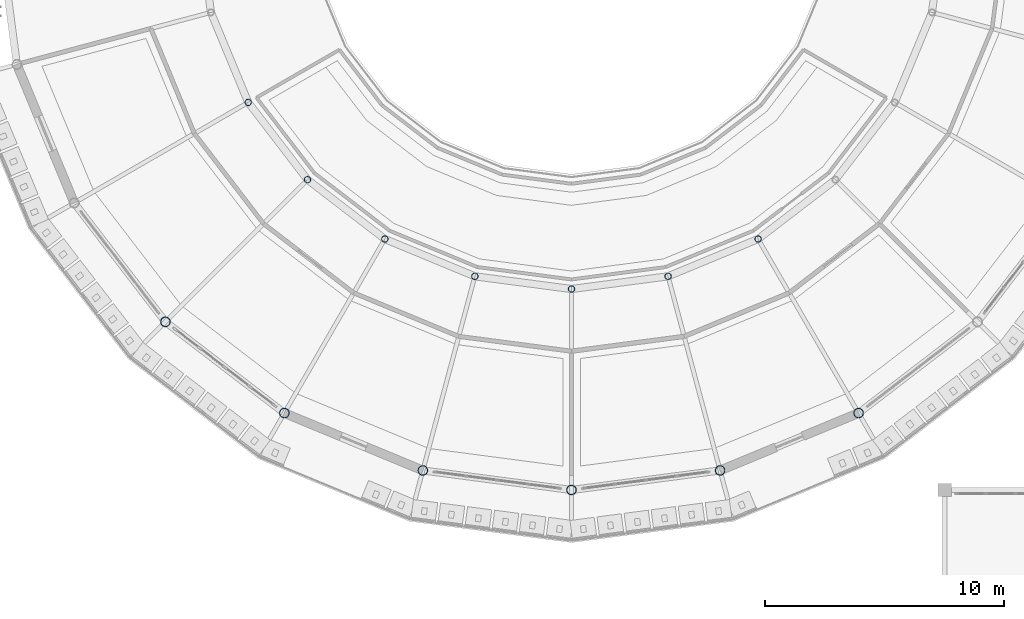
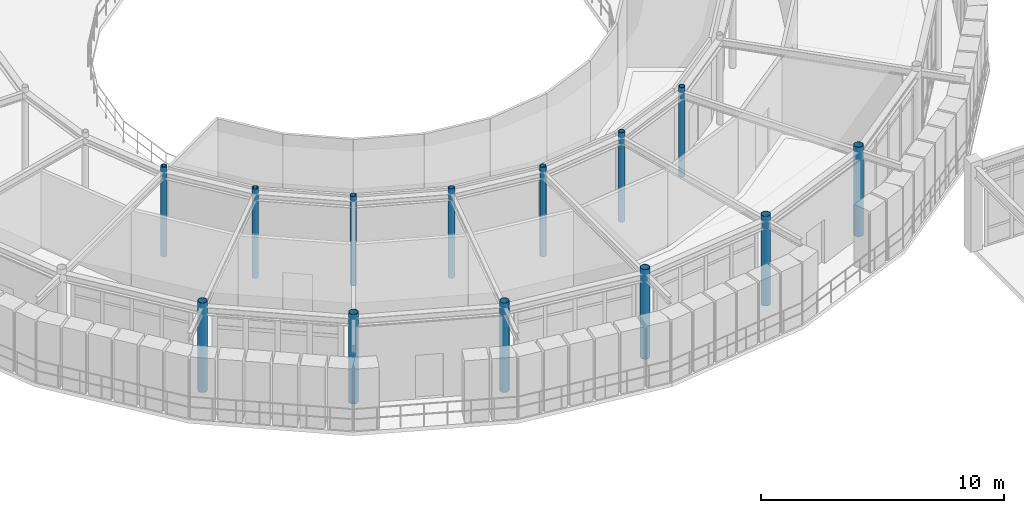
# One storey, part 10 of 106: 13 columns.
"""IFC4 building model written with IfcOpenShell, lengths in metres."""

from ifc_helpers import new_model, si_unit, derived_unit, direction, frame, origin, origin_2d, place, context, subcontext, project, spatial, hollow_circle, extrude, material, material_profile, profile_set, type_object, element, save


model = new_model("IFC4")

# Units and contexts
model_context = context("Model", 3, precision=1e-05, world=origin(), true_north=direction((0.0, 1.0)))
body_context = subcontext(model_context, "Body", "Model", "MODEL_VIEW")
ifc_project = project(units=[si_unit("LENGTHUNIT", "METRE"), si_unit("AREAUNIT", "SQUARE_METRE"), si_unit("VOLUMEUNIT", "CUBIC_METRE"), si_unit("PLANEANGLEUNIT", "RADIAN"), si_unit("MASSUNIT", "GRAM", prefix="KILO"), derived_unit("THERMALTRANSMITTANCEUNIT", [(si_unit("POWERUNIT", "WATT"), 1), (si_unit("AREAUNIT", "SQUARE_METRE"), -1), (si_unit("THERMODYNAMICTEMPERATUREUNIT", "KELVIN"), -1)])], contexts=[model_context])

# Site, building, storey
site_placement = place(None, origin())
site = spatial("IfcSite", under=ifc_project, at=site_placement, CompositionType="ELEMENT")
building_placement = place(site_placement, origin())
building = spatial("IfcBuilding", under=site, at=building_placement, Name="Yasenodar Specialist Clinic", CompositionType="ELEMENT")
storey_placement = place(building_placement, frame((0.0, 0.0, 4.5)))
storey = spatial("IfcBuildingStorey", under=building, at=storey_placement, Name="L01", CompositionType="ELEMENT", Elevation=4.5)

# Columns
ifc_material = material(Name="Steel S355", Category="steel")
ifc_material_profile_1 = material_profile(ifc_material, hollow_circle(Radius=0.136474609375, WallThickness=0.012451171875, at=origin_2d()), Name="CHS 273x12.5")
ifc_profile_set_1 = profile_set([ifc_material_profile_1], Name="Steel S355")
column_type_1 = type_object("IfcColumnType", Name="COL-ST-CHS273", PredefinedType="COLUMN", material=ifc_profile_set_1)
for number, where, z_axis, x_axis, name in (
    (1, (67.489990234375, 51.0, 0.0), (0.0, 0.0, 1.0), (1.0, 0.0, 0.0), "L01 Drum V1 Inner Column 15"),
    (2, (69.968994140625, 47.76904296875, 0.0), (0.0, 0.0, 1.0), (1.0, 0.0, 0.0), "L01 Drum V1 Inner Column 16"),
    (3, (73.199951171875, 45.2900390625, 0.0), (0.0, 0.0, 1.0), (1.0, 0.0, 0.0), "L01 Drum V1 Inner Column 17"),
    (4, (76.96240234375, 43.731689453125, 0.0), (0.0, 0.0, 1.0), (1.0, 0.0, 0.0), "L01 Drum V1 Inner Column 18"),
    (5, (81.0, 43.199951171875, 0.0), (0.0, 0.0, 1.0), (1.0, 0.0, 0.0), "L01 Drum V1 Inner Column 19"),
    (6, (85.03759765625, 43.731689453125, 0.0), (0.0, 0.0, 1.0), (1.0, 0.0, 0.0), "L01 Drum V1 Inner Column 20"),
    (7, (88.800048828125, 45.2900390625, 0.0), (0.0, 0.0, 1.0), (1.0, 0.0, 0.0), "L01 Drum V1 Inner Column 21"),
):
    element("IfcColumn", number, at=place(storey_placement, frame(where, z_axis=z_axis, x_axis=x_axis)), inside=storey, type_object=column_type_1, Name=name, PredefinedType="COLUMN", context=body_context, shape_type="SweptSolid", body=[
        extrude(hollow_circle(Radius=0.136474609375, WallThickness=0.012451171875, at=origin_2d()), origin(), (0.0, 0.0, 1.0), 4.5),
    ])
ifc_material_profile_2 = material_profile(ifc_material, hollow_circle(Radius=0.203125, WallThickness=0.01611328125, at=origin_2d()), Name="CHS 406.4x16")
ifc_profile_set_2 = profile_set([ifc_material_profile_2], Name="Steel S355")
column_type_2 = type_object("IfcColumnType", Name="COL-ST-CHS406", PredefinedType="COLUMN", material=ifc_profile_set_2)
for number, where, z_axis, x_axis, name in (
    (8, (64.029296875, 41.829345703125, 0.0), (0.0, 0.0, 1.0), (1.0, 0.0, 0.0), "L01 Drum V1 Outer Column 16"),
    (9, (69.0, 38.015380859375, 0.0), (0.0, 0.0, 1.0), (1.0, 0.0, 0.0), "L01 Drum V1 Outer Column 17"),
    (10, (74.788330078125, 35.617919921875, 0.0), (0.0, 0.0, 1.0), (1.0, 0.0, 0.0), "L01 Drum V1 Outer Column 18"),
    (11, (81.0, 34.800048828125, 0.0), (0.0, 0.0, 1.0), (1.0, 0.0, 0.0), "L01 Drum V1 Outer Column 19"),
    (12, (87.211669921875, 35.617919921875, 0.0), (0.0, 0.0, 1.0), (1.0, 0.0, 0.0), "L01 Drum V1 Outer Column 20"),
    (13, (93.0, 38.015380859375, 0.0), (0.0, 0.0, 1.0), (1.0, 0.0, 0.0), "L01 Drum V1 Outer Column 21"),
):
    element("IfcColumn", number, at=place(storey_placement, frame(where, z_axis=z_axis, x_axis=x_axis)), inside=storey, type_object=column_type_2, Name=name, PredefinedType="COLUMN", context=body_context, shape_type="SweptSolid", body=[
        extrude(hollow_circle(Radius=0.203125, WallThickness=0.01611328125, at=origin_2d()), origin(), (0.0, 0.0, 1.0), 4.5),
    ])

save(model, "model.ifc")
